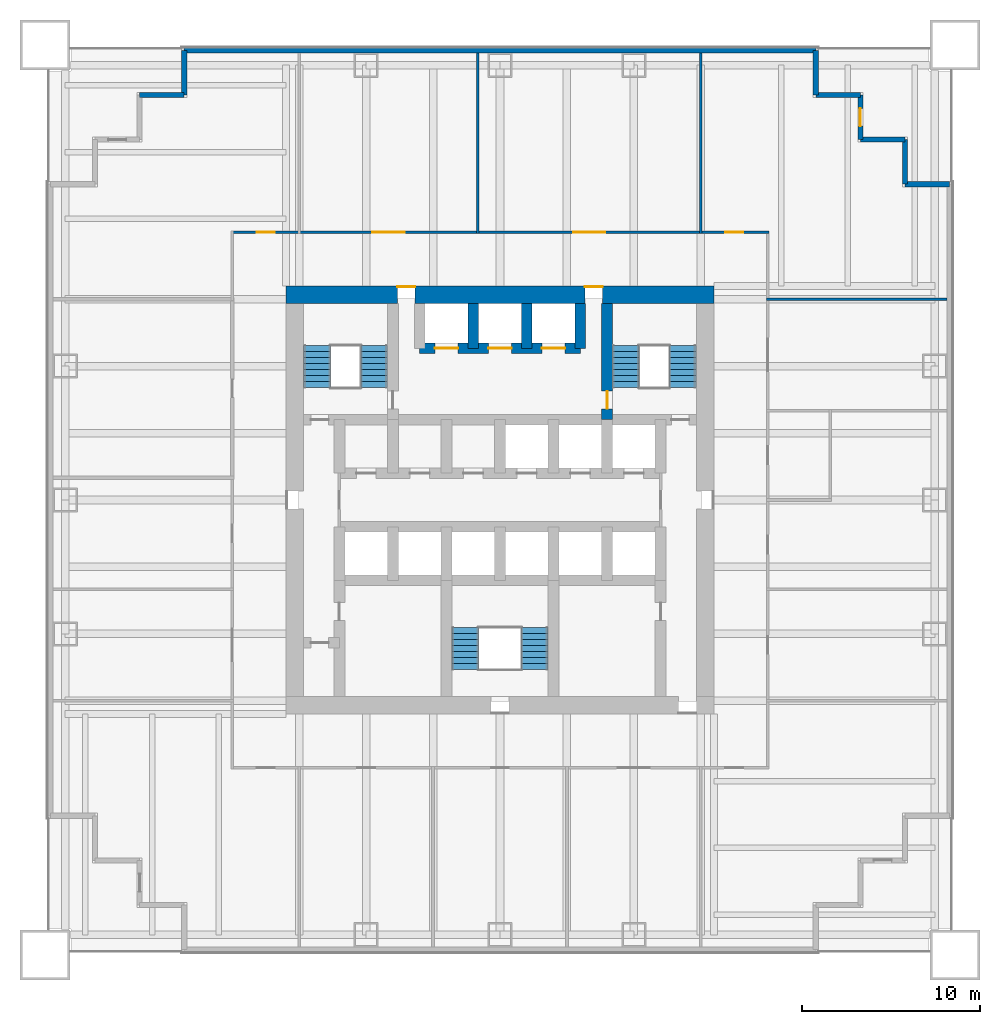
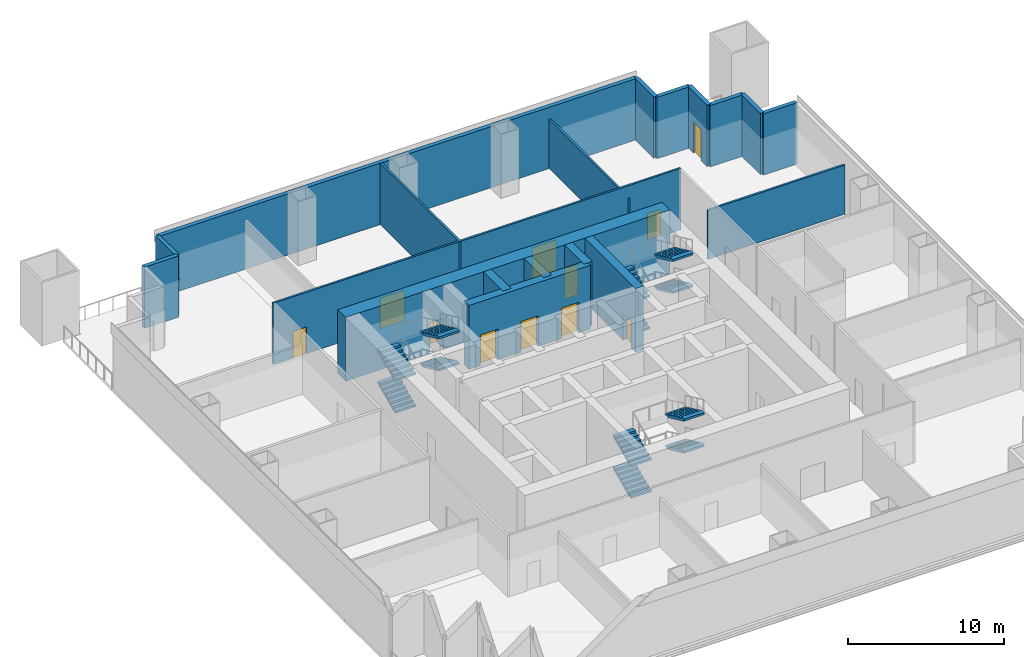
# One storey, part 4 of 6: 19 walls, 12 stair flights, 11 doors, 11 openings, 3 elements without a shape of their own.
"""IFC4 building model written with IfcOpenShell, lengths in metres."""

from ifc_helpers import new_model, si_unit, direction, frame, frame_2d, origin, place, context, subcontext, project, spatial, polyline, rectangle, outline, extrude, material, layer, layer_set, type_object, element, fill, aggregate, save


model = new_model("IFC4")

# Units and contexts
model_context = context("Model", 3, precision=1e-05, world=origin(), true_north=direction((0.0, 1.0)))
body_context = subcontext(model_context, "Body", "Model", "MODEL_VIEW")
ifc_project = project(units=[si_unit("LENGTHUNIT", "METRE"), si_unit("AREAUNIT", "SQUARE_METRE"), si_unit("VOLUMEUNIT", "CUBIC_METRE"), si_unit("PLANEANGLEUNIT", "RADIAN"), si_unit("MASSUNIT", "GRAM", prefix="KILO")], contexts=[model_context])

# Site, building, storey
site_placement = place(None, origin())
site = spatial("IfcSite", under=ifc_project, at=site_placement, CompositionType="ELEMENT")
building_placement = place(site_placement, origin())
building = spatial("IfcBuilding", under=site, at=building_placement, Name="Tarangal Relay Tower", CompositionType="ELEMENT")
storey_placement = place(building_placement, frame((0.0, 0.0, 83.39990234375)))
storey = spatial("IfcBuildingStorey", under=building, at=storey_placement, Name="L16", CompositionType="ELEMENT", Elevation=83.39990234375)

# Wall, openings, doors
ifc_material_1 = material(Name="Concrete fc' 60 MPa", Category="concrete")
ifc_layer_1 = layer(ifc_material_1, 0.60009765625)
ifc_layer_set_1 = layer_set([ifc_layer_1], Name="Core inner wall 600")
wall_type_1 = type_object("IfcWallType", Name="Core inner wall 600", PredefinedType="SHEAR", material=ifc_layer_set_1)
wall_1_placement = place(storey_placement, frame((-4.5, 8.5, 0.0), z_axis=(0.0, 0.0, 1.0), x_axis=(1.0, 0.0, 0.0)))
wall_1 = element("IfcWall", 1, at=wall_1_placement, inside=storey, type_object=wall_type_1, Name="Core wall Y85 L16", PredefinedType="SHEAR", context=body_context, shape_type="SweptSolid", body=[
    extrude(rectangle(XDim=9.0, YDim=0.60009765625, at=frame_2d((4.5, 0.0))), origin(), (0.0, 0.0, 1.0), 5.0),
])
opening_1_placement = place(wall_1_placement, frame((0.85009765625, 0.0, 0.0)))
opening_1 = element("IfcOpeningElement", 2, at=opening_1_placement, cuts=wall_1, Name="Opening LD2", PredefinedType="OPENING", context=body_context, shape_type="SweptSolid", body=[
    extrude(rectangle(XDim=1.300048828125, YDim=2.39990234375, at=frame_2d((0.64990234375, 1.199951171875))), frame((0.0, 0.31005859375, 0.0), z_axis=(0.0, -1.0, 0.0), x_axis=(1.0, 0.0, 0.0)), (0.0, 0.0, 1.0), 0.6201171875),
])
opening_2_placement = place(wall_1_placement, frame((6.85009765625, 0.0, 0.0)))
opening_2 = element("IfcOpeningElement", 3, at=opening_2_placement, cuts=wall_1, Name="Opening LD2", PredefinedType="OPENING", context=body_context, shape_type="SweptSolid", body=[
    extrude(rectangle(XDim=1.300048828125, YDim=2.39990234375, at=frame_2d((0.64990234375, 1.199951171875))), frame((0.0, 0.31005859375, 0.0), z_axis=(0.0, -1.0, 0.0), x_axis=(1.0, 0.0, 0.0)), (0.0, 0.0, 1.0), 0.6201171875),
])
opening_3_placement = place(wall_1_placement, frame((3.85009765625, 0.0, 0.0)))
opening_3 = element("IfcOpeningElement", 4, at=opening_3_placement, cuts=wall_1, Name="Opening LD2", PredefinedType="OPENING", context=body_context, shape_type="SweptSolid", body=[
    extrude(rectangle(XDim=1.300048828125, YDim=2.39990234375, at=frame_2d((0.64990234375, 1.199951171875))), frame((0.0, 0.31005859375, 0.0), z_axis=(0.0, -1.0, 0.0), x_axis=(1.0, 0.0, 0.0)), (0.0, 0.0, 1.0), 0.6201171875),
])
ifc_material_2 = material(Name="Steel door with hardwood frame", Category="steel")
door_type_1 = type_object("IfcDoorType", Name="Lift landing door 1300 x 2400", OperationType="SLIDING_TO_LEFT", PredefinedType="DOOR", material=ifc_material_2)
door_1_placement = place(opening_1_placement, origin())
door_1 = element("IfcDoor", 5, at=door_1_placement, inside=storey, type_object=door_type_1, Name="Lift FF1 landing door L16", OperationType="SLIDING_TO_LEFT", OverallHeight=2.39990234375, OverallWidth=1.300048828125, PredefinedType="DOOR", context=body_context, shape_type="SweptSolid", body=[
    extrude(rectangle(XDim=1.300048828125, YDim=2.39990234375, at=frame_2d((0.64990234375, 1.199951171875))), frame((0.0, 0.02490234375, 0.0), z_axis=(0.0, -1.0, 0.0), x_axis=(1.0, 0.0, 0.0)), (0.0, 0.0, 1.0), 0.050048828125),
])
fill(opening_1, door_1)
door_2_placement = place(opening_2_placement, origin())
door_2 = element("IfcDoor", 6, at=door_2_placement, inside=storey, type_object=door_type_1, Name="Lift FF2 landing door L16", OperationType="SLIDING_TO_LEFT", OverallHeight=2.39990234375, OverallWidth=1.300048828125, PredefinedType="DOOR", context=body_context, shape_type="SweptSolid", body=[
    extrude(rectangle(XDim=1.300048828125, YDim=2.39990234375, at=frame_2d((0.64990234375, 1.199951171875))), frame((0.0, 0.02490234375, 0.0), z_axis=(0.0, -1.0, 0.0), x_axis=(1.0, 0.0, 0.0)), (0.0, 0.0, 1.0), 0.050048828125),
])
fill(opening_2, door_2)
door_3_placement = place(opening_3_placement, origin())
door_3 = element("IfcDoor", 7, at=door_3_placement, inside=storey, type_object=door_type_1, Name="Lift SV1 landing door L16", OperationType="SLIDING_TO_LEFT", OverallHeight=2.39990234375, OverallWidth=1.300048828125, PredefinedType="DOOR", context=body_context, shape_type="SweptSolid", body=[
    extrude(rectangle(XDim=1.300048828125, YDim=2.39990234375, at=frame_2d((0.64990234375, 1.199951171875))), frame((0.0, 0.02490234375, 0.0), z_axis=(0.0, -1.0, 0.0), x_axis=(1.0, 0.0, 0.0)), (0.0, 0.0, 1.0), 0.050048828125),
])
fill(opening_3, door_3)

# Wall, opening, door
wall_2_placement = place(storey_placement, frame((6.0, 4.5, 0.0), z_axis=(0.0, 0.0, 1.0), x_axis=(0.0, 1.0, 0.0)))
wall_2 = element("IfcWall", 8, at=wall_2_placement, inside=storey, type_object=wall_type_1, Name="Core wall X6 L16", PredefinedType="SHEAR", context=body_context, shape_type="SweptSolid", body=[
    extrude(rectangle(XDim=6.5, YDim=0.60009765625, at=frame_2d((3.25, 0.0))), origin(), (0.0, 0.0, 1.0), 5.0),
])
opening_4_placement = place(wall_2_placement, frame((0.60009765625, 0.0, 0.0)))
opening_4 = element("IfcOpeningElement", 9, at=opening_4_placement, cuts=wall_2, Name="Opening FD1", PredefinedType="OPENING", context=body_context, shape_type="SweptSolid", body=[
    extrude(rectangle(XDim=1.0, YDim=2.10009765625, at=frame_2d((0.5, 1.050048828125))), frame((0.0, 0.31005859375, 0.0), z_axis=(0.0, -1.0, 0.0), x_axis=(1.0, 0.0, 0.0)), (0.0, 0.0, 1.0), 0.6201171875),
])
door_type_2 = type_object("IfcDoorType", Name="Fire door 1000 x 2100", OperationType="SINGLE_SWING_LEFT", PredefinedType="DOOR", material=ifc_material_2)
door_4_placement = place(opening_4_placement, origin())
door_4 = element("IfcDoor", 10, at=door_4_placement, inside=storey, type_object=door_type_2, Name="Stair ST-B door from fire-fighting lobby L16", OperationType="SINGLE_SWING_LEFT", OverallHeight=2.10009765625, OverallWidth=1.0, PredefinedType="DOOR", context=body_context, shape_type="SweptSolid", body=[
    extrude(rectangle(XDim=1.0, YDim=2.10009765625, at=frame_2d((0.5, 1.050048828125))), frame((0.0, 0.02490234375, 0.0), z_axis=(0.0, -1.0, 0.0), x_axis=(1.0, 0.0, 0.0)), (0.0, 0.0, 1.0), 0.050048828125),
])
fill(opening_4, door_4)

# Walls
for number, where, z_axis, x_axis, name in (
    (11, (4.5, 8.5, 0.0), (0.0, 0.0, 1.0), (0.0, 1.0, 0.0), "Core wall X45 L16"),
    (12, (-1.5, 8.5, 0.0), (0.0, 0.0, 1.0), (0.0, 1.0, 0.0), "Core wall XM15 L16"),
    (13, (1.5, 8.5, 0.0), (0.0, 0.0, 1.0), (0.0, 1.0, 0.0), "Core wall X15 L16"),
):
    element("IfcWall", number, at=place(storey_placement, frame(where, z_axis=z_axis, x_axis=x_axis)), inside=storey, type_object=wall_type_1, Name=name, PredefinedType="SHEAR", context=body_context, shape_type="SweptSolid", body=[
        extrude(rectangle(XDim=2.5, YDim=0.60009765625, at=frame_2d((1.25, 0.0))), origin(), (0.0, 0.0, 1.0), 5.0),
    ])

# Wall, openings, doors
ifc_layer_2 = layer(ifc_material_1, 1.0)
ifc_layer_set_2 = layer_set([ifc_layer_2], Name="Core wall 1000")
wall_type_2 = type_object("IfcWallType", Name="Core wall 1000", PredefinedType="SHEAR", material=ifc_layer_set_2)
wall_3_placement = place(storey_placement, frame((-12.0, 11.5, 0.0), z_axis=(0.0, 0.0, 1.0), x_axis=(1.0, 0.0, 0.0)))
wall_3 = element("IfcWall", 14, at=wall_3_placement, inside=storey, type_object=wall_type_2, Name="Core wall N L16", PredefinedType="SHEAR", context=body_context, shape_type="SweptSolid", body=[
    extrude(rectangle(XDim=24.0, YDim=1.0, at=frame_2d((12.0, 0.0))), origin(), (0.0, 0.0, 1.0), 5.0),
])
opening_5_placement = place(wall_3_placement, frame((6.25, 0.0, 0.0)))
opening_5 = element("IfcOpeningElement", 15, at=opening_5_placement, cuts=wall_3, Name="Opening FD3", PredefinedType="OPENING", context=body_context, shape_type="SweptSolid", body=[
    extrude(rectangle(XDim=1.0, YDim=2.39990234375, at=frame_2d((0.5, 1.199951171875))), frame((0.0, 0.510009765625, 0.0), z_axis=(0.0, -1.0, 0.0), x_axis=(1.0, 0.0, 0.0)), (0.0, 0.0, 1.0), 1.02001953125),
])
opening_6_placement = place(wall_3_placement, frame((16.75, 0.0, 0.0)))
opening_6 = element("IfcOpeningElement", 16, at=opening_6_placement, cuts=wall_3, Name="Opening FD3", PredefinedType="OPENING", context=body_context, shape_type="SweptSolid", body=[
    extrude(rectangle(XDim=1.0, YDim=2.39990234375, at=frame_2d((0.5, 1.199951171875))), frame((0.0, 0.510009765625, 0.0), z_axis=(0.0, -1.0, 0.0), x_axis=(1.0, 0.0, 0.0)), (0.0, 0.0, 1.0), 1.02001953125),
])
door_type_3 = type_object("IfcDoorType", Name="Fire door 1000 x 2400 core entry", OperationType="SINGLE_SWING_RIGHT", PredefinedType="DOOR", material=ifc_material_2)
door_5_placement = place(opening_5_placement, origin())
door_5 = element("IfcDoor", 17, at=door_5_placement, inside=storey, type_object=door_type_3, Name="Core entry door north west L16", OperationType="SINGLE_SWING_RIGHT", OverallHeight=2.39990234375, OverallWidth=1.0, PredefinedType="DOOR", context=body_context, shape_type="SweptSolid", body=[
    extrude(rectangle(XDim=1.0, YDim=2.39990234375, at=frame_2d((0.5, 1.199951171875))), frame((0.0, 0.48486328125, 0.0), z_axis=(0.0, -1.0, 0.0), x_axis=(1.0, 0.0, 0.0)), (0.0, 0.0, 1.0), 0.050048828125),
])
fill(opening_5, door_5)
door_6_placement = place(opening_6_placement, origin())
door_6 = element("IfcDoor", 18, at=door_6_placement, inside=storey, type_object=door_type_3, Name="Core entry door north east L16", OperationType="SINGLE_SWING_RIGHT", OverallHeight=2.39990234375, OverallWidth=1.0, PredefinedType="DOOR", context=body_context, shape_type="SweptSolid", body=[
    extrude(rectangle(XDim=1.0, YDim=2.39990234375, at=frame_2d((0.5, 1.199951171875))), frame((0.0, 0.48486328125, 0.0), z_axis=(0.0, -1.0, 0.0), x_axis=(1.0, 0.0, 0.0)), (0.0, 0.0, 1.0), 0.050048828125),
])
fill(opening_6, door_6)

# Walls
ifc_material_3 = material(Name="Insulated precast concrete fc' 40 MPa", Category="concrete")
ifc_layer_3 = layer(ifc_material_3, 0.300048828125)
ifc_layer_set_3 = layer_set([ifc_layer_3], Name="Insulated precast concrete fc' 40 MPa")
wall_type_3 = type_object("IfcWallType", Name="Facade wall precast 300", PredefinedType="SOLIDWALL", material=ifc_layer_set_3)
wall_4_placement = place(storey_placement, frame((-17.699951171875, 25.199951171875, 0.0), z_axis=(0.0, 0.0, 1.0), x_axis=(1.0, 0.0, 0.0)))
element("IfcWall", 19, at=wall_4_placement, inside=storey, type_object=wall_type_3, Name="Facade wall N facade L16", PredefinedType="SOLIDWALL", context=body_context, shape_type="SweptSolid", body=[
    extrude(rectangle(XDim=35.39990234375, YDim=0.300048828125, at=frame_2d((17.699951171875, 0.0))), origin(), (0.0, 0.0, 1.0), 4.800048828125),
])
for number, where, z_axis, x_axis, name in (
    (20, (17.699951171875, 25.199951171875, 0.0), (0.0, 0.0, 1.0), (0.0, -1.0, 0.0), "Facade wall N facade L16"),
    (21, (17.699951171875, 22.699951171875, 0.0), (0.0, 0.0, 1.0), (1.0, 0.0, 0.0), "Facade wall N facade L16"),
):
    element("IfcWall", number, at=place(storey_placement, frame(where, z_axis=z_axis, x_axis=x_axis)), inside=storey, type_object=wall_type_3, Name=name, PredefinedType="SOLIDWALL", context=body_context, shape_type="SweptSolid", body=[
        extrude(rectangle(XDim=2.5, YDim=0.300048828125, at=frame_2d((1.25, 0.0))), origin(), (0.0, 0.0, 1.0), 4.800048828125),
    ])

# Wall, opening, door
wall_5_placement = place(storey_placement, frame((20.199951171875, 22.699951171875, 0.0), z_axis=(0.0, 0.0, 1.0), x_axis=(0.0, -1.0, 0.0)))
wall_5 = element("IfcWall", 22, at=wall_5_placement, inside=storey, type_object=wall_type_3, Name="Facade wall N facade L16", PredefinedType="SOLIDWALL", context=body_context, shape_type="SweptSolid", body=[
    extrude(rectangle(XDim=2.5, YDim=0.300048828125, at=frame_2d((1.25, 0.0))), origin(), (0.0, 0.0, 1.0), 4.800048828125),
])
opening_7_placement = place(wall_5_placement, frame((0.75, 0.0, 0.0)))
opening_7 = element("IfcOpeningElement", 23, at=opening_7_placement, cuts=wall_5, Name="Opening TD1", PredefinedType="OPENING", context=body_context, shape_type="SweptSolid", body=[
    extrude(rectangle(XDim=1.0, YDim=2.39990234375, at=frame_2d((0.5, 1.199951171875))), frame((0.0, 0.159912109375, 0.0), z_axis=(0.0, -1.0, 0.0), x_axis=(1.0, 0.0, 0.0)), (0.0, 0.0, 1.0), 0.320068359375),
])
ifc_material_4 = material(Name="Aluminium glazed door", Category="aluminium")
door_type_4 = type_object("IfcDoorType", Name="Terrace door 1000 x 2400", OperationType="SINGLE_SWING_RIGHT", PredefinedType="DOOR", material=ifc_material_4)
door_7_placement = place(opening_7_placement, origin())
door_7 = element("IfcDoor", 24, at=door_7_placement, inside=storey, type_object=door_type_4, Name="Terrace door TD1 NE L16", OperationType="SINGLE_SWING_RIGHT", OverallHeight=2.39990234375, OverallWidth=1.0, PredefinedType="DOOR", context=body_context, shape_type="SweptSolid", body=[
    extrude(rectangle(XDim=1.0, YDim=2.39990234375, at=frame_2d((0.5, 1.199951171875))), frame((0.0, 0.02490234375, 0.0), z_axis=(0.0, -1.0, 0.0), x_axis=(1.0, 0.0, 0.0)), (0.0, 0.0, 1.0), 0.050048828125),
])
fill(opening_7, door_7)

# Walls
for number, where, z_axis, x_axis, name in (
    (25, (20.199951171875, 20.199951171875, 0.0), (0.0, 0.0, 1.0), (1.0, 0.0, 0.0), "Facade wall N facade L16"),
    (26, (22.699951171875, 20.199951171875, 0.0), (0.0, 0.0, 1.0), (0.0, -1.0, 0.0), "Facade wall N facade L16"),
    (27, (22.699951171875, 17.699951171875, 0.0), (0.0, 0.0, 1.0), (1.0, 0.0, 0.0), "Facade wall N facade L16"),
    (28, (-20.199951171875, 22.699951171875, 0.0), (0.0, 0.0, 1.0), (1.0, 0.0, 0.0), "Facade wall W facade L16"),
    (29, (-17.699951171875, 22.699951171875, 0.0), (0.0, 0.0, 1.0), (0.0, 1.0, 0.0), "Facade wall W facade L16"),
):
    element("IfcWall", number, at=place(storey_placement, frame(where, z_axis=z_axis, x_axis=x_axis)), inside=storey, type_object=wall_type_3, Name=name, PredefinedType="SOLIDWALL", context=body_context, shape_type="SweptSolid", body=[
        extrude(rectangle(XDim=2.5, YDim=0.300048828125, at=frame_2d((1.25, 0.0))), origin(), (0.0, 0.0, 1.0), 4.800048828125),
    ])
ifc_material_5 = material(Name="Gypsum board on steel studs", Category="steel")
ifc_layer_4 = layer(ifc_material_5, 0.14990234375)
ifc_layer_set_4 = layer_set([ifc_layer_4], Name="Partition 150")
wall_type_4 = type_object("IfcWallType", Name="Partition 150", PredefinedType="PARTITIONING", material=ifc_layer_set_4)
wall_6_placement = place(storey_placement, frame((14.925048828125, 11.25, 0.0), z_axis=(0.0, 0.0, 1.0), x_axis=(1.0, 0.0, 0.0)))
element("IfcWall", 30, at=wall_6_placement, inside=storey, type_object=wall_type_4, Name="Partition PT1 L16", PredefinedType="PARTITIONING", context=body_context, shape_type="SweptSolid", body=[
    extrude(rectangle(XDim=10.125, YDim=0.14990234375, at=frame_2d((5.0625, 0.0))), origin(), (0.0, 0.0, 1.0), 3.852783203125),
])

# Wall, openings, doors
wall_7_placement = place(storey_placement, frame((-15.074951171875, 15.0, 0.0), z_axis=(0.0, 0.0, 1.0), x_axis=(1.0, 0.0, 0.0)))
wall_7 = element("IfcWall", 31, at=wall_7_placement, inside=storey, type_object=wall_type_4, Name="Partition PT1 L16", PredefinedType="PARTITIONING", context=body_context, shape_type="SweptSolid", body=[
    extrude(rectangle(XDim=30.14990234375, YDim=0.14990234375, at=frame_2d((15.074951171875, 0.0))), origin(), (0.0, 0.0, 1.0), 4.800048828125),
])
opening_8_placement = place(wall_7_placement, frame((7.925048828125, 0.0, 0.0)))
opening_8 = element("IfcOpeningElement", 32, at=opening_8_placement, cuts=wall_7, Name="Opening DD1", PredefinedType="OPENING", context=body_context, shape_type="SweptSolid", body=[
    extrude(rectangle(XDim=1.800048828125, YDim=2.39990234375, at=frame_2d((0.89990234375, 1.199951171875))), frame((0.0, 0.0849609375, 0.0), z_axis=(0.0, -1.0, 0.0), x_axis=(1.0, 0.0, 0.0)), (0.0, 0.0, 1.0), 0.169921875),
])
opening_9_placement = place(wall_7_placement, frame((19.175048828125, 0.0, 0.0)))
opening_9 = element("IfcOpeningElement", 33, at=opening_9_placement, cuts=wall_7, Name="Opening DD1", PredefinedType="OPENING", context=body_context, shape_type="SweptSolid", body=[
    extrude(rectangle(XDim=1.800048828125, YDim=2.39990234375, at=frame_2d((0.89990234375, 1.199951171875))), frame((0.0, 0.0849609375, 0.0), z_axis=(0.0, -1.0, 0.0), x_axis=(1.0, 0.0, 0.0)), (0.0, 0.0, 1.0), 0.169921875),
])
opening_10_placement = place(wall_7_placement, frame((27.699951171875, 0.0, 0.0)))
opening_10 = element("IfcOpeningElement", 34, at=opening_10_placement, cuts=wall_7, Name="Opening D2", PredefinedType="OPENING", context=body_context, shape_type="SweptSolid", body=[
    extrude(rectangle(XDim=1.0, YDim=2.10009765625, at=frame_2d((0.5, 1.050048828125))), frame((0.0, 0.0849609375, 0.0), z_axis=(0.0, -1.0, 0.0), x_axis=(1.0, 0.0, 0.0)), (0.0, 0.0, 1.0), 0.169921875),
])
opening_11_placement = place(wall_7_placement, frame((1.449951171875, 0.0, 0.0)))
opening_11 = element("IfcOpeningElement", 35, at=opening_11_placement, cuts=wall_7, Name="Opening D2", PredefinedType="OPENING", context=body_context, shape_type="SweptSolid", body=[
    extrude(rectangle(XDim=1.0, YDim=2.10009765625, at=frame_2d((0.5, 1.050048828125))), frame((0.0, 0.0849609375, 0.0), z_axis=(0.0, -1.0, 0.0), x_axis=(1.0, 0.0, 0.0)), (0.0, 0.0, 1.0), 0.169921875),
])
ifc_material_6 = material(Name="Hardwood door", Category="wood")
door_type_5 = type_object("IfcDoorType", Name="Door 1000 x 2100", OperationType="SINGLE_SWING_LEFT", PredefinedType="DOOR", material=ifc_material_6)
door_8_placement = place(opening_10_placement, origin())
door_8 = element("IfcDoor", 36, at=door_8_placement, inside=storey, type_object=door_type_5, Name="Door D2 to rack build and test room L16-14", OperationType="SINGLE_SWING_LEFT", OverallHeight=2.10009765625, OverallWidth=1.0, PredefinedType="DOOR", context=body_context, shape_type="SweptSolid", body=[
    extrude(rectangle(XDim=1.0, YDim=2.10009765625, at=frame_2d((0.5, 1.050048828125))), frame((0.0, 0.02490234375, 0.0), z_axis=(0.0, -1.0, 0.0), x_axis=(1.0, 0.0, 0.0)), (0.0, 0.0, 1.0), 0.050048828125),
])
fill(opening_10, door_8)
door_9_placement = place(opening_11_placement, origin())
door_9 = element("IfcDoor", 37, at=door_9_placement, inside=storey, type_object=door_type_5, Name="Door D2 to maintenance workshop L16-17", OperationType="SINGLE_SWING_LEFT", OverallHeight=2.10009765625, OverallWidth=1.0, PredefinedType="DOOR", context=body_context, shape_type="SweptSolid", body=[
    extrude(rectangle(XDim=1.0, YDim=2.10009765625, at=frame_2d((0.5, 1.050048828125))), frame((0.0, 0.02490234375, 0.0), z_axis=(0.0, -1.0, 0.0), x_axis=(1.0, 0.0, 0.0)), (0.0, 0.0, 1.0), 0.050048828125),
])
fill(opening_11, door_9)
door_type_6 = type_object("IfcDoorType", Name="Equipment double door 1800 x 2400", OperationType="DOUBLE_DOOR_SINGLE_SWING", PredefinedType="DOOR", material=ifc_material_2)
door_10_placement = place(opening_8_placement, origin())
door_10 = element("IfcDoor", 38, at=door_10_placement, inside=storey, type_object=door_type_6, Name="Door DD1 to meet-me room L16-02", OperationType="DOUBLE_DOOR_SINGLE_SWING", OverallHeight=2.39990234375, OverallWidth=1.800048828125, PredefinedType="DOOR", context=body_context, shape_type="SweptSolid", body=[
    extrude(rectangle(XDim=1.800048828125, YDim=2.39990234375, at=frame_2d((0.89990234375, 1.199951171875))), frame((0.0, 0.02490234375, 0.0), z_axis=(0.0, -1.0, 0.0), x_axis=(1.0, 0.0, 0.0)), (0.0, 0.0, 1.0), 0.050048828125),
])
fill(opening_8, door_10)
door_11_placement = place(opening_9_placement, origin())
door_11 = element("IfcDoor", 39, at=door_11_placement, inside=storey, type_object=door_type_6, Name="Door DD1 to data hall L16-03", OperationType="DOUBLE_DOOR_SINGLE_SWING", OverallHeight=2.39990234375, OverallWidth=1.800048828125, PredefinedType="DOOR", context=body_context, shape_type="SweptSolid", body=[
    extrude(rectangle(XDim=1.800048828125, YDim=2.39990234375, at=frame_2d((0.89990234375, 1.199951171875))), frame((0.0, 0.02490234375, 0.0), z_axis=(0.0, -1.0, 0.0), x_axis=(1.0, 0.0, 0.0)), (0.0, 0.0, 1.0), 0.050048828125),
])
fill(opening_9, door_11)

# Walls
wall_8_placement = place(storey_placement, frame((-1.25, 14.925048828125, 0.0), z_axis=(0.0, 0.0, 1.0), x_axis=(0.0, 1.0, 0.0)))
element("IfcWall", 40, at=wall_8_placement, inside=storey, type_object=wall_type_4, Name="Partition PT1 L16", PredefinedType="PARTITIONING", context=body_context, shape_type="SweptSolid", body=[
    extrude(rectangle(XDim=10.125, YDim=0.14990234375, at=frame_2d((5.0625, 0.0))), origin(), (0.0, 0.0, 1.0), 4.800048828125),
])
wall_9_placement = place(storey_placement, frame((11.25, 14.925048828125, 0.0), z_axis=(0.0, 0.0, 1.0), x_axis=(0.0, 1.0, 0.0)))
element("IfcWall", 41, at=wall_9_placement, inside=storey, type_object=wall_type_4, Name="Partition PT1 L16", PredefinedType="PARTITIONING", context=body_context, shape_type="SweptSolid", body=[
    extrude(rectangle(XDim=10.125, YDim=0.14990234375, at=frame_2d((5.0625, 0.0))), origin(), (0.0, 0.0, 1.0), 3.852783203125),
])

# Stair, stair flights
ifc_material_7 = material(Name="Steel ASTM A992 stair flight", Category="steel")
stair_type = type_object("IfcStairType", Name="Core stair 1500", PredefinedType="HALF_TURN_STAIR", material=ifc_material_7)
stair_1_placement = place(storey_placement, origin())
stair_1 = element("IfcStair", 42, at=stair_1_placement, inside=storey, type_object=stair_type, Name="Stair ST-A L16", PredefinedType="HALF_TURN_STAIR")
stair_flight_type = type_object("IfcStairFlightType", Name="Steel stair flight 1500, 8 risers 156 x 335", PredefinedType="STRAIGHT", material=ifc_material_7)
stair_flight_1_placement = place(storey_placement, frame((-10.25, 6.300048828125, 0.0), z_axis=(0.0, 0.0, 1.0), x_axis=(0.0, 1.0, 0.0)))
stair_flight_1 = element("IfcStairFlight", 43, at=stair_flight_1_placement, type_object=stair_flight_type, Name="ST-A flight 1", NumberOfRisers=8, NumberOfTreads=7, PredefinedType="STRAIGHT", RiserHeight=0.15625, TreadLength=0.335, context=body_context, shape_type="SweptSolid", body=[
    extrude(outline(polyline([(0.0, 0.0), (0.0, 0.15625), (0.3349609375, 0.15625), (0.3349609375, 0.3125), (0.669921875, 0.3125), (0.669921875, 0.46875), (1.0048828125, 0.46875), (1.0048828125, 0.625), (1.340087890625, 0.625), (1.340087890625, 0.78125), (1.675048828125, 0.78125), (1.675048828125, 0.9375), (2.010009765625, 0.9375), (2.010009765625, 1.09375), (2.344970703125, 1.09375), (2.344970703125, 1.25), (2.344970703125, 0.92822265625), (0.354736328125, 0.0), (0.0, 0.0)])), frame((0.0, 0.75, 0.0), z_axis=(0.0, -1.0, 0.0), x_axis=(1.0, 0.0, 0.0)), (0.0, 0.0, 1.0), 1.5),
])
stair_flight_2_placement = place(storey_placement, frame((-7.050048828125, 8.64501953125, 1.25), z_axis=(0.0, 0.0, 1.0), x_axis=(0.0, -1.0, 0.0)))
stair_flight_2 = element("IfcStairFlight", 44, at=stair_flight_2_placement, type_object=stair_flight_type, Name="ST-A flight 2", NumberOfRisers=8, NumberOfTreads=7, PredefinedType="STRAIGHT", RiserHeight=0.15625, TreadLength=0.335, context=body_context, shape_type="SweptSolid", body=[
    extrude(outline(polyline([(0.0, 0.0), (0.0, 0.15625), (0.3349609375, 0.15625), (0.3349609375, 0.3125), (0.669921875, 0.3125), (0.669921875, 0.46875), (1.0048828125, 0.46875), (1.0048828125, 0.625), (1.340087890625, 0.625), (1.340087890625, 0.78125), (1.675048828125, 0.78125), (1.675048828125, 0.9375), (2.010009765625, 0.9375), (2.010009765625, 1.09375), (2.344970703125, 1.09375), (2.344970703125, 1.25), (2.344970703125, 0.92822265625), (0.354736328125, 0.0), (0.0, 0.0)])), frame((0.0, 0.75, 0.0), z_axis=(0.0, -1.0, 0.0), x_axis=(1.0, 0.0, 0.0)), (0.0, 0.0, 1.0), 1.5),
])
stair_flight_3_placement = place(storey_placement, frame((-10.25, 6.300048828125, 2.5), z_axis=(0.0, 0.0, 1.0), x_axis=(0.0, 1.0, 0.0)))
stair_flight_3 = element("IfcStairFlight", 45, at=stair_flight_3_placement, type_object=stair_flight_type, Name="ST-A flight 3", NumberOfRisers=8, NumberOfTreads=7, PredefinedType="STRAIGHT", RiserHeight=0.15625, TreadLength=0.335, context=body_context, shape_type="SweptSolid", body=[
    extrude(outline(polyline([(0.0, 0.0), (0.0, 0.15625), (0.3349609375, 0.15625), (0.3349609375, 0.3125), (0.669921875, 0.3125), (0.669921875, 0.46875), (1.0048828125, 0.46875), (1.0048828125, 0.625), (1.340087890625, 0.625), (1.340087890625, 0.78125), (1.675048828125, 0.78125), (1.675048828125, 0.9375), (2.010009765625, 0.9375), (2.010009765625, 1.09375), (2.344970703125, 1.09375), (2.344970703125, 1.25), (2.344970703125, 0.92822265625), (0.354736328125, 0.0), (0.0, 0.0)])), frame((0.0, 0.75, 0.0), z_axis=(0.0, -1.0, 0.0), x_axis=(1.0, 0.0, 0.0)), (0.0, 0.0, 1.0), 1.5),
])
stair_flight_4_placement = place(storey_placement, frame((-7.050048828125, 8.64501953125, 3.75), z_axis=(0.0, 0.0, 1.0), x_axis=(0.0, -1.0, 0.0)))
stair_flight_4 = element("IfcStairFlight", 46, at=stair_flight_4_placement, type_object=stair_flight_type, Name="ST-A flight 4", NumberOfRisers=8, NumberOfTreads=7, PredefinedType="STRAIGHT", RiserHeight=0.15625, TreadLength=0.335, context=body_context, shape_type="SweptSolid", body=[
    extrude(outline(polyline([(0.0, 0.0), (0.0, 0.15625), (0.3349609375, 0.15625), (0.3349609375, 0.3125), (0.669921875, 0.3125), (0.669921875, 0.46875), (1.0048828125, 0.46875), (1.0048828125, 0.625), (1.340087890625, 0.625), (1.340087890625, 0.78125), (1.675048828125, 0.78125), (1.675048828125, 0.9375), (2.010009765625, 0.9375), (2.010009765625, 1.09375), (2.344970703125, 1.09375), (2.344970703125, 1.25), (2.344970703125, 0.92822265625), (0.354736328125, 0.0), (0.0, 0.0)])), frame((0.0, 0.75, 0.0), z_axis=(0.0, -1.0, 0.0), x_axis=(1.0, 0.0, 0.0)), (0.0, 0.0, 1.0), 1.5),
])
aggregate(stair_1, [stair_flight_1, stair_flight_2, stair_flight_3, stair_flight_4])

stair_2_placement = place(storey_placement, origin())
stair_2 = element("IfcStair", 47, at=stair_2_placement, inside=storey, type_object=stair_type, Name="Stair ST-B L16", PredefinedType="HALF_TURN_STAIR")
stair_flight_5_placement = place(storey_placement, frame((7.050048828125, 6.300048828125, 0.0), z_axis=(0.0, 0.0, 1.0), x_axis=(0.0, 1.0, 0.0)))
stair_flight_5 = element("IfcStairFlight", 48, at=stair_flight_5_placement, type_object=stair_flight_type, Name="ST-B flight 1", NumberOfRisers=8, NumberOfTreads=7, PredefinedType="STRAIGHT", RiserHeight=0.15625, TreadLength=0.335, context=body_context, shape_type="SweptSolid", body=[
    extrude(outline(polyline([(0.0, 0.0), (0.0, 0.15625), (0.3349609375, 0.15625), (0.3349609375, 0.3125), (0.669921875, 0.3125), (0.669921875, 0.46875), (1.0048828125, 0.46875), (1.0048828125, 0.625), (1.340087890625, 0.625), (1.340087890625, 0.78125), (1.675048828125, 0.78125), (1.675048828125, 0.9375), (2.010009765625, 0.9375), (2.010009765625, 1.09375), (2.344970703125, 1.09375), (2.344970703125, 1.25), (2.344970703125, 0.92822265625), (0.354736328125, 0.0), (0.0, 0.0)])), frame((0.0, 0.75, 0.0), z_axis=(0.0, -1.0, 0.0), x_axis=(1.0, 0.0, 0.0)), (0.0, 0.0, 1.0), 1.5),
])
stair_flight_6_placement = place(storey_placement, frame((10.25, 8.64501953125, 1.25), z_axis=(0.0, 0.0, 1.0), x_axis=(0.0, -1.0, 0.0)))
stair_flight_6 = element("IfcStairFlight", 49, at=stair_flight_6_placement, type_object=stair_flight_type, Name="ST-B flight 2", NumberOfRisers=8, NumberOfTreads=7, PredefinedType="STRAIGHT", RiserHeight=0.15625, TreadLength=0.335, context=body_context, shape_type="SweptSolid", body=[
    extrude(outline(polyline([(0.0, 0.0), (0.0, 0.15625), (0.3349609375, 0.15625), (0.3349609375, 0.3125), (0.669921875, 0.3125), (0.669921875, 0.46875), (1.0048828125, 0.46875), (1.0048828125, 0.625), (1.340087890625, 0.625), (1.340087890625, 0.78125), (1.675048828125, 0.78125), (1.675048828125, 0.9375), (2.010009765625, 0.9375), (2.010009765625, 1.09375), (2.344970703125, 1.09375), (2.344970703125, 1.25), (2.344970703125, 0.92822265625), (0.354736328125, 0.0), (0.0, 0.0)])), frame((0.0, 0.75, 0.0), z_axis=(0.0, -1.0, 0.0), x_axis=(1.0, 0.0, 0.0)), (0.0, 0.0, 1.0), 1.5),
])
stair_flight_7_placement = place(storey_placement, frame((7.050048828125, 6.300048828125, 2.5), z_axis=(0.0, 0.0, 1.0), x_axis=(0.0, 1.0, 0.0)))
stair_flight_7 = element("IfcStairFlight", 50, at=stair_flight_7_placement, type_object=stair_flight_type, Name="ST-B flight 3", NumberOfRisers=8, NumberOfTreads=7, PredefinedType="STRAIGHT", RiserHeight=0.15625, TreadLength=0.335, context=body_context, shape_type="SweptSolid", body=[
    extrude(outline(polyline([(0.0, 0.0), (0.0, 0.15625), (0.3349609375, 0.15625), (0.3349609375, 0.3125), (0.669921875, 0.3125), (0.669921875, 0.46875), (1.0048828125, 0.46875), (1.0048828125, 0.625), (1.340087890625, 0.625), (1.340087890625, 0.78125), (1.675048828125, 0.78125), (1.675048828125, 0.9375), (2.010009765625, 0.9375), (2.010009765625, 1.09375), (2.344970703125, 1.09375), (2.344970703125, 1.25), (2.344970703125, 0.92822265625), (0.354736328125, 0.0), (0.0, 0.0)])), frame((0.0, 0.75, 0.0), z_axis=(0.0, -1.0, 0.0), x_axis=(1.0, 0.0, 0.0)), (0.0, 0.0, 1.0), 1.5),
])
stair_flight_8_placement = place(storey_placement, frame((10.25, 8.64501953125, 3.75), z_axis=(0.0, 0.0, 1.0), x_axis=(0.0, -1.0, 0.0)))
stair_flight_8 = element("IfcStairFlight", 51, at=stair_flight_8_placement, type_object=stair_flight_type, Name="ST-B flight 4", NumberOfRisers=8, NumberOfTreads=7, PredefinedType="STRAIGHT", RiserHeight=0.15625, TreadLength=0.335, context=body_context, shape_type="SweptSolid", body=[
    extrude(outline(polyline([(0.0, 0.0), (0.0, 0.15625), (0.3349609375, 0.15625), (0.3349609375, 0.3125), (0.669921875, 0.3125), (0.669921875, 0.46875), (1.0048828125, 0.46875), (1.0048828125, 0.625), (1.340087890625, 0.625), (1.340087890625, 0.78125), (1.675048828125, 0.78125), (1.675048828125, 0.9375), (2.010009765625, 0.9375), (2.010009765625, 1.09375), (2.344970703125, 1.09375), (2.344970703125, 1.25), (2.344970703125, 0.92822265625), (0.354736328125, 0.0), (0.0, 0.0)])), frame((0.0, 0.75, 0.0), z_axis=(0.0, -1.0, 0.0), x_axis=(1.0, 0.0, 0.0)), (0.0, 0.0, 1.0), 1.5),
])
aggregate(stair_2, [stair_flight_5, stair_flight_6, stair_flight_7, stair_flight_8])

stair_3_placement = place(storey_placement, origin())
stair_3 = element("IfcStair", 52, at=stair_3_placement, inside=storey, type_object=stair_type, Name="Stair ST-C L16", PredefinedType="HALF_TURN_STAIR")
stair_flight_9_placement = place(storey_placement, frame((-1.949951171875, -9.5, 0.0), z_axis=(0.0, 0.0, 1.0), x_axis=(0.0, 1.0, 0.0)))
stair_flight_9 = element("IfcStairFlight", 53, at=stair_flight_9_placement, type_object=stair_flight_type, Name="ST-C flight 1", NumberOfRisers=8, NumberOfTreads=7, PredefinedType="STRAIGHT", RiserHeight=0.15625, TreadLength=0.335, context=body_context, shape_type="SweptSolid", body=[
    extrude(outline(polyline([(0.0, 0.0), (0.0, 0.15625), (0.3349609375, 0.15625), (0.3349609375, 0.3125), (0.669921875, 0.3125), (0.669921875, 0.46875), (1.0048828125, 0.46875), (1.0048828125, 0.625), (1.340087890625, 0.625), (1.340087890625, 0.78125), (1.675048828125, 0.78125), (1.675048828125, 0.9375), (2.010009765625, 0.9375), (2.010009765625, 1.09375), (2.344970703125, 1.09375), (2.344970703125, 1.25), (2.344970703125, 0.92822265625), (0.354736328125, 0.0), (0.0, 0.0)])), frame((0.0, 0.75, 0.0), z_axis=(0.0, -1.0, 0.0), x_axis=(1.0, 0.0, 0.0)), (0.0, 0.0, 1.0), 1.5),
])
stair_flight_10_placement = place(storey_placement, frame((1.949951171875, -7.155029296875, 1.25), z_axis=(0.0, 0.0, 1.0), x_axis=(0.0, -1.0, 0.0)))
stair_flight_10 = element("IfcStairFlight", 54, at=stair_flight_10_placement, type_object=stair_flight_type, Name="ST-C flight 2", NumberOfRisers=8, NumberOfTreads=7, PredefinedType="STRAIGHT", RiserHeight=0.15625, TreadLength=0.335, context=body_context, shape_type="SweptSolid", body=[
    extrude(outline(polyline([(0.0, 0.0), (0.0, 0.15625), (0.3349609375, 0.15625), (0.3349609375, 0.3125), (0.669921875, 0.3125), (0.669921875, 0.46875), (1.0048828125, 0.46875), (1.0048828125, 0.625), (1.340087890625, 0.625), (1.340087890625, 0.78125), (1.675048828125, 0.78125), (1.675048828125, 0.9375), (2.010009765625, 0.9375), (2.010009765625, 1.09375), (2.344970703125, 1.09375), (2.344970703125, 1.25), (2.344970703125, 0.92822265625), (0.354736328125, 0.0), (0.0, 0.0)])), frame((0.0, 0.75, 0.0), z_axis=(0.0, -1.0, 0.0), x_axis=(1.0, 0.0, 0.0)), (0.0, 0.0, 1.0), 1.5),
])
stair_flight_11_placement = place(storey_placement, frame((-1.949951171875, -9.5, 2.5), z_axis=(0.0, 0.0, 1.0), x_axis=(0.0, 1.0, 0.0)))
stair_flight_11 = element("IfcStairFlight", 55, at=stair_flight_11_placement, type_object=stair_flight_type, Name="ST-C flight 3", NumberOfRisers=8, NumberOfTreads=7, PredefinedType="STRAIGHT", RiserHeight=0.15625, TreadLength=0.335, context=body_context, shape_type="SweptSolid", body=[
    extrude(outline(polyline([(0.0, 0.0), (0.0, 0.15625), (0.3349609375, 0.15625), (0.3349609375, 0.3125), (0.669921875, 0.3125), (0.669921875, 0.46875), (1.0048828125, 0.46875), (1.0048828125, 0.625), (1.340087890625, 0.625), (1.340087890625, 0.78125), (1.675048828125, 0.78125), (1.675048828125, 0.9375), (2.010009765625, 0.9375), (2.010009765625, 1.09375), (2.344970703125, 1.09375), (2.344970703125, 1.25), (2.344970703125, 0.92822265625), (0.354736328125, 0.0), (0.0, 0.0)])), frame((0.0, 0.75, 0.0), z_axis=(0.0, -1.0, 0.0), x_axis=(1.0, 0.0, 0.0)), (0.0, 0.0, 1.0), 1.5),
])
stair_flight_12_placement = place(storey_placement, frame((1.949951171875, -7.155029296875, 3.75), z_axis=(0.0, 0.0, 1.0), x_axis=(0.0, -1.0, 0.0)))
stair_flight_12 = element("IfcStairFlight", 56, at=stair_flight_12_placement, type_object=stair_flight_type, Name="ST-C flight 4", NumberOfRisers=8, NumberOfTreads=7, PredefinedType="STRAIGHT", RiserHeight=0.15625, TreadLength=0.335, context=body_context, shape_type="SweptSolid", body=[
    extrude(outline(polyline([(0.0, 0.0), (0.0, 0.15625), (0.3349609375, 0.15625), (0.3349609375, 0.3125), (0.669921875, 0.3125), (0.669921875, 0.46875), (1.0048828125, 0.46875), (1.0048828125, 0.625), (1.340087890625, 0.625), (1.340087890625, 0.78125), (1.675048828125, 0.78125), (1.675048828125, 0.9375), (2.010009765625, 0.9375), (2.010009765625, 1.09375), (2.344970703125, 1.09375), (2.344970703125, 1.25), (2.344970703125, 0.92822265625), (0.354736328125, 0.0), (0.0, 0.0)])), frame((0.0, 0.75, 0.0), z_axis=(0.0, -1.0, 0.0), x_axis=(1.0, 0.0, 0.0)), (0.0, 0.0, 1.0), 1.5),
])
aggregate(stair_3, [stair_flight_9, stair_flight_10, stair_flight_11, stair_flight_12])

save(model, "model.ifc")
